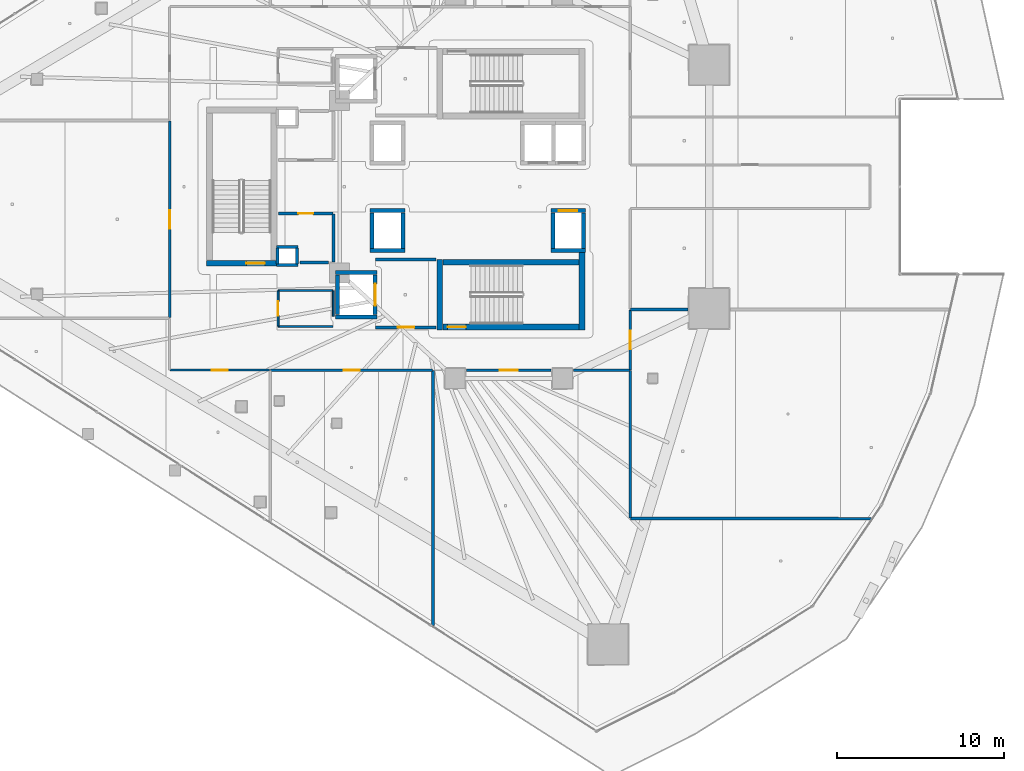
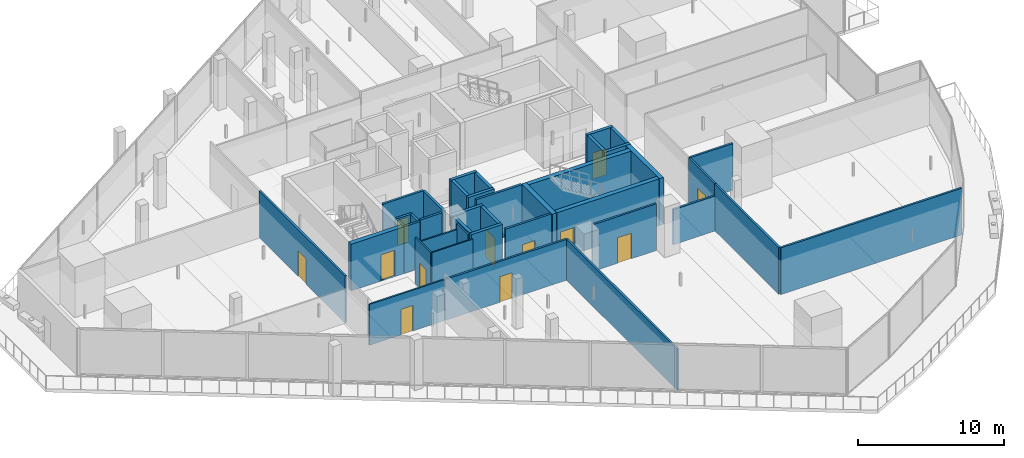
# One storey, part 29 of 45: 40 walls, 12 doors, 12 openings.
"""IFC4 building model written with IfcOpenShell, lengths in metres."""

from ifc_helpers import new_model, si_unit, direction, frame, frame_2d, origin, place, context, subcontext, project, spatial, rectangle, extrude, material, layer, layer_set, type_object, element, fill, save


model = new_model("IFC4")

# Units and contexts
model_context = context("Model", 3, precision=1e-05, world=origin(), true_north=direction((0.0, 1.0)))
body_context = subcontext(model_context, "Body", "Model", "MODEL_VIEW")
ifc_project = project(units=[si_unit("LENGTHUNIT", "METRE"), si_unit("AREAUNIT", "SQUARE_METRE"), si_unit("VOLUMEUNIT", "CUBIC_METRE"), si_unit("PLANEANGLEUNIT", "RADIAN"), si_unit("MASSUNIT", "GRAM", prefix="KILO")], contexts=[model_context])

# Site, building, storey
site_placement = place(None, origin())
site = spatial("IfcSite", under=ifc_project, at=site_placement, CompositionType="ELEMENT")
building_placement = place(site_placement, origin())
building = spatial("IfcBuilding", under=site, at=building_placement, Name="Qorvath Tower", CompositionType="ELEMENT")
storey_placement = place(building_placement, frame((0.0, 0.0, 66.0)))
storey = spatial("IfcBuildingStorey", under=building, at=storey_placement, Name="L14", CompositionType="ELEMENT", Elevation=66.0)

# Walls
ifc_material_1 = material(Name="Gypsum shaftliner on steel studs", Category="steel")
ifc_layer_1 = layer(ifc_material_1, 0.179931640625)
ifc_layer_set_1 = layer_set([ifc_layer_1], Name="FW-LOBBY")
wall_type_1 = type_object("IfcWallType", Name="FW-LOBBY", PredefinedType="PARTITIONING", material=ifc_layer_set_1)
for number, where, z_axis, x_axis, name in (
    (1, (-32.989990234375, -4.675048828125, 0.0), (0.0, 0.0, 1.0), (-1.0, 0.0, 0.0), "MEP Riser Shaft Enclosure Wall S-L14-S"),
    (2, (-34.260009765625, -3.594970703125, 0.0), (0.0, 0.0, 1.0), (1.0, 0.0, 0.0), "MEP Riser Shaft Enclosure Wall S-L14-N"),
):
    element("IfcWall", number, at=place(storey_placement, frame(where, z_axis=z_axis, x_axis=x_axis)), inside=storey, type_object=wall_type_1, Name=name, PredefinedType="PARTITIONING", context=body_context, shape_type="SweptSolid", body=[
        extrude(rectangle(XDim=1.27001953125, YDim=0.179931640625, at=frame_2d((0.635009765625, 0.0))), origin(), (0.0, 0.0, 1.0), 3.919921875),
    ])
for number, where, z_axis, x_axis, name in (
    (3, (-34.205078125, -4.610107421875, 0.0), (0.0, 0.0, 1.0), (0.0, 1.0, 0.0), "MEP Riser Shaft Enclosure Wall S-L14-W"),
    (4, (-33.044921875, -3.659912109375, 0.0), (0.0, 0.0, 1.0), (0.0, -1.0, 0.0), "MEP Riser Shaft Enclosure Wall S-L14-E"),
):
    element("IfcWall", number, at=place(storey_placement, frame(where, z_axis=z_axis, x_axis=x_axis)), inside=storey, type_object=wall_type_1, Name=name, PredefinedType="PARTITIONING", context=body_context, shape_type="SweptSolid", body=[
        extrude(rectangle(XDim=0.9501953125, YDim=0.179931640625, at=frame_2d((0.47509765625, 0.0))), origin(), (0.0, 0.0, 1.0), 3.919921875),
    ])

# Wall, opening, door
wall_1_placement = place(storey_placement, frame((-28.35498046875, -8.39990234375, 0.0), z_axis=(0.0, 0.0, 1.0), x_axis=(1.0, 0.0, 0.0)))
wall_1 = element("IfcWall", 5, at=wall_1_placement, inside=storey, type_object=wall_type_1, Name="Interior Partition IW-T1-L14-003", PredefinedType="PARTITIONING", context=body_context, shape_type="SweptSolid", body=[
    extrude(rectangle(XDim=3.6220703125, YDim=0.179931640625, at=frame_2d((1.81103515625, 0.0))), origin(), (0.0, 0.0, 1.0), 3.919921875),
])
opening_1_placement = place(wall_1_placement, frame((1.31103515625, 0.0, 0.0)))
opening_1 = element("IfcOpeningElement", 6, at=opening_1_placement, cuts=wall_1, Name="Opening D-T1-L14-18", PredefinedType="OPENING", context=body_context, shape_type="SweptSolid", body=[
    extrude(rectangle(XDim=1.0, YDim=2.14990234375, at=frame_2d((0.5, 1.074951171875))), frame((0.0, 0.10009765625, 0.0), z_axis=(0.0, -1.0, 0.0), x_axis=(1.0, 0.0, 0.0)), (0.0, 0.0, 1.0), 0.199951171875),
])
ifc_material_2 = material(Name="Painted galvanised hollow metal", Category="steel")
door_type_1 = type_object("IfcDoorType", Name="FD-60", OperationType="NOTDEFINED", PredefinedType="DOOR", material=ifc_material_2)
door_1_placement = place(opening_1_placement, origin())
door_1 = element("IfcDoor", 7, at=door_1_placement, inside=storey, type_object=door_type_1, Name="Lobby Fire Service Elevator South Door D-T1-L14-18", OperationType="SINGLE_SWING_LEFT", OverallHeight=2.14990234375, OverallWidth=1.0, PredefinedType="DOOR", context=body_context, shape_type="SweptSolid", body=[
    extrude(rectangle(XDim=1.0, YDim=2.14990234375, at=frame_2d((0.5, 1.074951171875))), frame((0.0, 0.02490234375, 0.0), z_axis=(0.0, -1.0, 0.0), x_axis=(1.0, 0.0, 0.0)), (0.0, 0.0, 1.0), 0.050048828125),
])
fill(opening_1, door_1)

# Walls
wall_2_placement = place(storey_placement, frame((-24.73291015625, -4.35009765625, 0.0), z_axis=(0.0, 0.0, 1.0), x_axis=(-1.0, 0.0, 0.0)))
element("IfcWall", 8, at=wall_2_placement, inside=storey, type_object=wall_type_1, Name="Interior Partition IW-T1-L14-004", PredefinedType="PARTITIONING", context=body_context, shape_type="SweptSolid", body=[
    extrude(rectangle(XDim=3.6220703125, YDim=0.179931640625, at=frame_2d((1.81103515625, 0.0))), origin(), (0.0, 0.0, 1.0), 3.919921875),
])
wall_3_placement = place(storey_placement, frame((-32.8798828125, -4.5380859375, 0.0), z_axis=(0.0, 0.0, 1.0), x_axis=(0.9999584918, 0.009111239105, 0.0)))
element("IfcWall", 9, at=wall_3_placement, inside=storey, type_object=wall_type_1, Name="Interior Partition IW-T1-L14-016", PredefinedType="PARTITIONING", context=body_context, shape_type="SweptSolid", body=[
    extrude(rectangle(XDim=1.71484375, YDim=0.179931640625, at=frame_2d((0.857421875, 0.0))), origin(), (0.0, 0.0, 1.0), 3.919921875),
])
wall_4_placement = place(storey_placement, frame((-30.8798828125, -4.485107421875, 0.0), z_axis=(0.0, 0.0, 1.0), x_axis=(0.0, 1.0, 0.0)))
element("IfcWall", 10, at=wall_4_placement, inside=storey, type_object=wall_type_1, Name="Interior Partition IW-T1-L14-017", PredefinedType="PARTITIONING", context=body_context, shape_type="SweptSolid", body=[
    extrude(rectangle(XDim=2.860107421875, YDim=0.179931640625, at=frame_2d((1.43017578125, 0.0))), origin(), (0.0, 0.0, 1.0), 3.919921875),
])

# Wall, opening, door
wall_5_placement = place(storey_placement, frame((-30.90478515625, -1.60009765625, 0.0), z_axis=(0.0, 0.0, 1.0), x_axis=(-1.0, 0.0, 0.0)))
wall_5 = element("IfcWall", 11, at=wall_5_placement, inside=storey, type_object=wall_type_1, Name="Interior Partition IW-T1-L14-018", PredefinedType="PARTITIONING", context=body_context, shape_type="SweptSolid", body=[
    extrude(rectangle(XDim=3.25, YDim=0.179931640625, at=frame_2d((1.625, 0.0))), origin(), (0.0, 0.0, 1.0), 3.919921875),
])
opening_2_placement = place(wall_5_placement, frame((1.18505859375, 0.0, 0.0)))
opening_2 = element("IfcOpeningElement", 12, at=opening_2_placement, cuts=wall_5, Name="Opening D-T1-L14-04", PredefinedType="OPENING", context=body_context, shape_type="SweptSolid", body=[
    extrude(rectangle(XDim=0.8798828125, YDim=2.10009765625, at=frame_2d((0.43994140625, 1.050048828125))), frame((0.0, 0.10009765625, 0.0), z_axis=(0.0, -1.0, 0.0), x_axis=(1.0, 0.0, 0.0)), (0.0, 0.0, 1.0), 0.199951171875),
])
ifc_material_3 = material(Name="Painted galvanised hollow metal", Category="steel")
door_type_2 = type_object("IfcDoorType", Name="FD-60N", OperationType="NOTDEFINED", PredefinedType="DOOR", material=ifc_material_3)
door_2_placement = place(opening_2_placement, origin())
door_2 = element("IfcDoor", 13, at=door_2_placement, inside=storey, type_object=door_type_2, Name="Core housekeeping store L14 Door D-T1-L14-04", OperationType="SINGLE_SWING_LEFT", OverallHeight=2.10009765625, OverallWidth=0.8798828125, PredefinedType="DOOR", context=body_context, shape_type="SweptSolid", body=[
    extrude(rectangle(XDim=0.8798828125, YDim=2.10009765625, at=frame_2d((0.43994140625, 1.050048828125))), frame((0.0, 0.02490234375, 0.0), z_axis=(0.0, -1.0, 0.0), x_axis=(1.0, 0.0, 0.0)), (0.0, 0.0, 1.0), 0.050048828125),
])
fill(opening_2, door_2)

ifc_material_4 = material(Name="Double acoustic gypsum board on steel studs", Category="steel")
ifc_layer_2 = layer(ifc_material_4, 0.159912109375)
ifc_layer_set_2 = layer_set([ifc_layer_2], Name="IW-ACOUSTIC-160")
wall_type_2 = type_object("IfcWallType", Name="IW-ACOUSTIC-160", PredefinedType="PARTITIONING", material=ifc_layer_set_2)
wall_6_placement = place(storey_placement, frame((-24.955810546875, -10.9580078125, 0.0), z_axis=(0.0, 0.0, 1.0), x_axis=(-1.0, 0.0, 0.0)))
wall_6 = element("IfcWall", 14, at=wall_6_placement, inside=storey, type_object=wall_type_2, Name="Interior Partition IW-T1-L14-029", PredefinedType="PARTITIONING", context=body_context, shape_type="SweptSolid", body=[
    extrude(rectangle(XDim=9.669189453125, YDim=0.159912109375, at=frame_2d((4.83447265625, 0.0))), origin(), (0.0, 0.0, 1.0), 3.432861328125),
])
opening_3_placement = place(wall_6_placement, frame((4.359619140625, 0.0, 0.0)))
opening_3 = element("IfcOpeningElement", 15, at=opening_3_placement, cuts=wall_6, Name="Opening D-T1-L14-09", PredefinedType="OPENING", context=body_context, shape_type="SweptSolid", body=[
    extrude(rectangle(XDim=0.949951171875, YDim=2.14990234375, at=frame_2d((0.47509765625, 1.074951171875))), frame((0.0, 0.08984375, 0.0), z_axis=(0.0, -1.0, 0.0), x_axis=(1.0, 0.0, 0.0)), (0.0, 0.0, 1.0), 0.179931640625),
])
ifc_material_5 = material(Name="Solid-core American white oak veneer", Category="wood")
door_type_3 = type_object("IfcDoorType", Name="D-01", OperationType="NOTDEFINED", PredefinedType="DOOR", material=ifc_material_5)
door_3_placement = place(opening_3_placement, origin())
door_3 = element("IfcDoor", 16, at=door_3_placement, inside=storey, type_object=door_type_3, Name="L14-05 Breakout Reading Alcove Door D-T1-L14-09", OperationType="SINGLE_SWING_RIGHT", OverallHeight=2.14990234375, OverallWidth=0.949951171875, PredefinedType="DOOR", context=body_context, shape_type="SweptSolid", body=[
    extrude(rectangle(XDim=0.949951171875, YDim=2.14990234375, at=frame_2d((0.47509765625, 1.074951171875))), frame((0.0, 0.02490234375, 0.0), z_axis=(0.0, -1.0, 0.0), x_axis=(1.0, 0.0, 0.0)), (0.0, 0.0, 1.0), 0.050048828125),
])
fill(opening_3, door_3)

# Walls
wall_7_placement = place(storey_placement, frame((-24.9306640625, -26.20703125, 0.0), z_axis=(0.0, 0.0, 1.0), x_axis=(0.0, 1.0, 0.0)))
element("IfcWall", 17, at=wall_7_placement, inside=storey, type_object=wall_type_2, Name="Interior Partition IW-T1-L14-031", PredefinedType="PARTITIONING", context=body_context, shape_type="SweptSolid", body=[
    extrude(rectangle(XDim=15.22412109375, YDim=0.159912109375, at=frame_2d((7.612060546875, 0.0))), origin(), (0.0, 0.0, 1.0), 3.432861328125),
])
wall_8_placement = place(storey_placement, frame((1.24609375, -19.82421875, 0.0), z_axis=(0.0, 0.0, 1.0), x_axis=(-0.999999852235, 0.000543625905, 0.0)))
element("IfcWall", 18, at=wall_8_placement, inside=storey, type_object=wall_type_2, Name="Interior Partition IW-T1-L14-032", PredefinedType="PARTITIONING", context=body_context, shape_type="SweptSolid", body=[
    extrude(rectangle(XDim=14.37109375, YDim=0.159912109375, at=frame_2d((7.185546875, 0.0))), origin(), (0.0, 0.0, 1.0), 3.919921875),
])
wall_9_placement = place(storey_placement, frame((-13.14990234375, -19.79150390625, 0.0), z_axis=(0.0, 0.0, 1.0), x_axis=(0.0, 1.0, 0.0)))
element("IfcWall", 19, at=wall_9_placement, inside=storey, type_object=wall_type_2, Name="Interior Partition IW-T1-L14-033", PredefinedType="PARTITIONING", context=body_context, shape_type="SweptSolid", body=[
    extrude(rectangle(XDim=8.80859375, YDim=0.159912109375, at=frame_2d((4.404296875, 0.0))), origin(), (0.0, 0.0, 1.0), 3.919921875),
])
wall_10_placement = place(storey_placement, frame((-13.1748046875, -10.9580078125, 0.0), z_axis=(0.0, 0.0, 1.0), x_axis=(-1.0, 0.0, 0.0)))
element("IfcWall", 20, at=wall_10_placement, inside=storey, type_object=wall_type_2, Name="Interior Partition IW-T1-L14-034", PredefinedType="PARTITIONING", context=body_context, shape_type="SweptSolid", body=[
    extrude(rectangle(XDim=3.360107421875, YDim=0.159912109375, at=frame_2d((1.68017578125, 0.0))), origin(), (0.0, 0.0, 1.0), 2.956787109375),
])

# Wall, opening, door
wall_11_placement = place(storey_placement, frame((-17.864990234375, -10.9580078125, 0.0), z_axis=(0.0, 0.0, 1.0), x_axis=(-1.0, 0.0, 0.0)))
wall_11 = element("IfcWall", 21, at=wall_11_placement, inside=storey, type_object=wall_type_2, Name="Interior Partition IW-T1-L14-035", PredefinedType="PARTITIONING", context=body_context, shape_type="SweptSolid", body=[
    extrude(rectangle(XDim=5.070068359375, YDim=0.159912109375, at=frame_2d((2.53515625, 0.0))), origin(), (0.0, 0.0, 1.0), 3.919921875),
])
opening_4_placement = place(wall_11_placement, frame((1.985107421875, 0.0, 0.0)))
opening_4 = element("IfcOpeningElement", 22, at=opening_4_placement, cuts=wall_11, Name="Opening D-T1-L14-10", PredefinedType="OPENING", context=body_context, shape_type="SweptSolid", body=[
    extrude(rectangle(XDim=1.10009765625, YDim=2.14990234375, at=frame_2d((0.550048828125, 1.074951171875))), frame((0.0, 0.08984375, 0.0), z_axis=(0.0, -1.0, 0.0), x_axis=(1.0, 0.0, 0.0)), (0.0, 0.0, 1.0), 0.179931640625),
])
ifc_material_6 = material(Name="Anodised aluminium acoustic framed glass", Category="aluminium")
door_type_4 = type_object("IfcDoorType", Name="D-03", OperationType="NOTDEFINED", PredefinedType="DOOR", material=ifc_material_6)
door_4_placement = place(opening_4_placement, origin())
door_4 = element("IfcDoor", 23, at=door_4_placement, inside=storey, type_object=door_type_4, Name="L14-06 Digital Visualization Suite Door D-T1-L14-10", OperationType="SINGLE_SWING_LEFT", OverallHeight=2.14990234375, OverallWidth=1.10009765625, PredefinedType="DOOR", context=body_context, shape_type="SweptSolid", body=[
    extrude(rectangle(XDim=1.10009765625, YDim=2.14990234375, at=frame_2d((0.550048828125, 1.074951171875))), frame((0.0, 0.02490234375, 0.0), z_axis=(0.0, -1.0, 0.0), x_axis=(1.0, 0.0, 0.0)), (0.0, 0.0, 1.0), 0.050048828125),
])
fill(opening_4, door_4)

# Wall
wall_12_placement = place(storey_placement, frame((-9.6953125, -7.3359375, 0.0), z_axis=(0.0, 0.0, 1.0), x_axis=(-1.0, 0.0, 0.0)))
element("IfcWall", 24, at=wall_12_placement, inside=storey, type_object=wall_type_2, Name="Interior Partition IW-T1-L14-037", PredefinedType="PARTITIONING", context=body_context, shape_type="SweptSolid", body=[
    extrude(rectangle(XDim=3.421875, YDim=0.159912109375, at=frame_2d((1.7109375, 0.0))), origin(), (0.0, 0.0, 1.0), 3.919921875),
])

# Wall, opening, door
wall_13_placement = place(storey_placement, frame((-13.14208984375, -7.36083984375, 0.0), z_axis=(0.0, 0.0, 1.0), x_axis=(0.0, -1.0, 0.0)))
wall_13 = element("IfcWall", 25, at=wall_13_placement, inside=storey, type_object=wall_type_2, Name="Interior Partition IW-T1-L14-038", PredefinedType="PARTITIONING", context=body_context, shape_type="SweptSolid", body=[
    extrude(rectangle(XDim=3.59716796875, YDim=0.159912109375, at=frame_2d((1.798583984375, 0.0))), origin(), (0.0, 0.0, 1.0), 3.919921875),
])
opening_5_placement = place(wall_13_placement, frame((1.24853515625, 0.0, 0.0)))
opening_5 = element("IfcOpeningElement", 26, at=opening_5_placement, cuts=wall_13, Name="Opening D-T1-L14-11", PredefinedType="OPENING", context=body_context, shape_type="SweptSolid", body=[
    extrude(rectangle(XDim=1.10009765625, YDim=2.14990234375, at=frame_2d((0.550048828125, 1.074951171875))), frame((0.0, 0.08984375, 0.0), z_axis=(0.0, -1.0, 0.0), x_axis=(1.0, 0.0, 0.0)), (0.0, 0.0, 1.0), 0.179931640625),
])
door_5_placement = place(opening_5_placement, origin())
door_5 = element("IfcDoor", 27, at=door_5_placement, inside=storey, type_object=door_type_4, Name="L14-07 Team Project Office Door D-T1-L14-11", OperationType="SINGLE_SWING_RIGHT", OverallHeight=2.14990234375, OverallWidth=1.10009765625, PredefinedType="DOOR", context=body_context, shape_type="SweptSolid", body=[
    extrude(rectangle(XDim=1.10009765625, YDim=2.14990234375, at=frame_2d((0.550048828125, 1.074951171875))), frame((0.0, 0.02490234375, 0.0), z_axis=(0.0, -1.0, 0.0), x_axis=(1.0, 0.0, 0.0)), (0.0, 0.0, 1.0), 0.050048828125),
])
fill(opening_5, door_5)

wall_14_placement = place(storey_placement, frame((-40.657958984375, -7.82421875, 0.0), z_axis=(0.0, 0.0, 1.0), x_axis=(0.0, 1.0, 0.0)))
wall_14 = element("IfcWall", 28, at=wall_14_placement, inside=storey, type_object=wall_type_2, Name="Interior Partition IW-T1-L14-049", PredefinedType="PARTITIONING", context=body_context, shape_type="SweptSolid", body=[
    extrude(rectangle(XDim=11.755615234375, YDim=0.159912109375, at=frame_2d((5.8779296875, 0.0))), origin(), (0.0, 0.0, 1.0), 3.919921875),
])
opening_6_placement = place(wall_14_placement, frame((5.327880859375, 0.0, 0.0)))
opening_6 = element("IfcOpeningElement", 29, at=opening_6_placement, cuts=wall_14, Name="Opening D-T1-L14-15", PredefinedType="OPENING", context=body_context, shape_type="SweptSolid", body=[
    extrude(rectangle(XDim=1.10009765625, YDim=2.14990234375, at=frame_2d((0.550048828125, 1.074951171875))), frame((0.0, 0.08984375, 0.0), z_axis=(0.0, -1.0, 0.0), x_axis=(1.0, 0.0, 0.0)), (0.0, 0.0, 1.0), 0.179931640625),
])
door_6_placement = place(opening_6_placement, origin())
door_6 = element("IfcDoor", 30, at=door_6_placement, inside=storey, type_object=door_type_4, Name="L14-11 Client Services Office Door D-T1-L14-15", OperationType="SINGLE_SWING_RIGHT", OverallHeight=2.14990234375, OverallWidth=1.10009765625, PredefinedType="DOOR", context=body_context, shape_type="SweptSolid", body=[
    extrude(rectangle(XDim=1.10009765625, YDim=2.14990234375, at=frame_2d((0.550048828125, 1.074951171875))), frame((0.0, 0.02490234375, 0.0), z_axis=(0.0, -1.0, 0.0), x_axis=(1.0, 0.0, 0.0)), (0.0, 0.0, 1.0), 0.050048828125),
])
fill(opening_6, door_6)

ifc_material_7 = material(Name="Gypsum board on metal studs with mineral wool", Category="gypsum")
ifc_layer_3 = layer(ifc_material_7, 0.125)
ifc_layer_set_3 = layer_set([ifc_layer_3], Name="IW-PART-125")
wall_type_3 = type_object("IfcWallType", Name="IW-PART-125", PredefinedType="PARTITIONING", material=ifc_layer_set_3)
wall_15_placement = place(storey_placement, frame((-34.68310546875, -10.9580078125, 0.0), z_axis=(0.0, 0.0, 1.0), x_axis=(-1.0, 0.0, 0.0)))
wall_15 = element("IfcWall", 31, at=wall_15_placement, inside=storey, type_object=wall_type_3, Name="Interior Partition IW-T1-L14-046", PredefinedType="PARTITIONING", context=body_context, shape_type="SweptSolid", body=[
    extrude(rectangle(XDim=5.949951171875, YDim=0.125, at=frame_2d((2.97509765625, 0.0))), origin(), (0.0, 0.0, 1.0), 3.432861328125),
])
opening_7_placement = place(wall_15_placement, frame((2.5, 0.0, 0.0)))
opening_7 = element("IfcOpeningElement", 32, at=opening_7_placement, cuts=wall_15, Name="Opening D-T1-L14-14", PredefinedType="OPENING", context=body_context, shape_type="SweptSolid", body=[
    extrude(rectangle(XDim=0.949951171875, YDim=2.14990234375, at=frame_2d((0.47509765625, 1.074951171875))), frame((0.0, 0.072509765625, 0.0), z_axis=(0.0, -1.0, 0.0), x_axis=(1.0, 0.0, 0.0)), (0.0, 0.0, 1.0), 0.14501953125),
])
door_7_placement = place(opening_7_placement, origin())
door_7 = element("IfcDoor", 33, at=door_7_placement, inside=storey, type_object=door_type_3, Name="L14-10 Staff Refreshment Pantry and Coffee Bar Door D-T1-L14-14", OperationType="SINGLE_SWING_LEFT", OverallHeight=2.14990234375, OverallWidth=0.949951171875, PredefinedType="DOOR", context=body_context, shape_type="SweptSolid", body=[
    extrude(rectangle(XDim=0.949951171875, YDim=2.14990234375, at=frame_2d((0.47509765625, 1.074951171875))), frame((0.0, 0.02490234375, 0.0), z_axis=(0.0, -1.0, 0.0), x_axis=(1.0, 0.0, 0.0)), (0.0, 0.0, 1.0), 0.050048828125),
])
fill(opening_7, door_7)

ifc_material_8 = material(Name="Moisture-resistant cement board on metal studs", Category="gypsum")
ifc_layer_4 = layer(ifc_material_8, 0.110107421875)
ifc_layer_set_4 = layer_set([ifc_layer_4], Name="IW-WC-110")
wall_type_4 = type_object("IfcWallType", Name="IW-WC-110", PredefinedType="PARTITIONING", material=ifc_layer_set_4)
wall_16_placement = place(storey_placement, frame((-34.179931640625, -6.22509765625, 0.0), z_axis=(0.0, 0.0, 1.0), x_axis=(0.0, -1.0, 0.0)))
wall_16 = element("IfcWall", 34, at=wall_16_placement, inside=storey, type_object=wall_type_4, Name="Interior Partition IW-T1-L14-009", PredefinedType="PARTITIONING", context=body_context, shape_type="SweptSolid", body=[
    extrude(rectangle(XDim=2.10009765625, YDim=0.110107421875, at=frame_2d((1.050048828125, 0.0))), origin(), (0.0, 0.0, 1.0), 3.919921875),
])
opening_8_placement = place(wall_16_placement, frame((0.610107421875, 0.0, 0.0)))
opening_8 = element("IfcOpeningElement", 35, at=opening_8_placement, cuts=wall_16, Name="Opening D-T1-L14-02", PredefinedType="OPENING", context=body_context, shape_type="SweptSolid", body=[
    extrude(rectangle(XDim=0.8798828125, YDim=2.10009765625, at=frame_2d((0.43994140625, 1.050048828125))), frame((0.0, 0.06494140625, 0.0), z_axis=(0.0, -1.0, 0.0), x_axis=(1.0, 0.0, 0.0)), (0.0, 0.0, 1.0), 0.130126953125),
])
ifc_material_9 = material(Name="Solid-core oak with acoustic drop seal", Category="wood")
door_type_5 = type_object("IfcDoorType", Name="D-02", OperationType="NOTDEFINED", PredefinedType="DOOR", material=ifc_material_9)
door_8_placement = place(opening_8_placement, origin())
door_8 = element("IfcDoor", 36, at=door_8_placement, inside=storey, type_object=door_type_5, Name="Accessible WC South L14 Door D-T1-L14-02", OperationType="SINGLE_SWING_LEFT", OverallHeight=2.10009765625, OverallWidth=0.8798828125, PredefinedType="DOOR", context=body_context, shape_type="SweptSolid", body=[
    extrude(rectangle(XDim=0.8798828125, YDim=2.10009765625, at=frame_2d((0.43994140625, 1.050048828125))), frame((0.0, 0.02490234375, 0.0), z_axis=(0.0, -1.0, 0.0), x_axis=(1.0, 0.0, 0.0)), (0.0, 0.0, 1.0), 0.050048828125),
])
fill(opening_8, door_8)

# Walls
wall_17_placement = place(storey_placement, frame((-34.15478515625, -8.35009765625, 0.0), z_axis=(0.0, 0.0, 1.0), x_axis=(1.0, 0.0, 0.0)))
element("IfcWall", 37, at=wall_17_placement, inside=storey, type_object=wall_type_4, Name="Interior Partition IW-T1-L14-010", PredefinedType="PARTITIONING", context=body_context, shape_type="SweptSolid", body=[
    extrude(rectangle(XDim=3.25, YDim=0.110107421875, at=frame_2d((1.625, 0.0))), origin(), (0.0, 0.0, 1.0), 3.919921875),
])
wall_18_placement = place(storey_placement, frame((-30.8798828125, -7.742919921875, 0.0), z_axis=(0.0, 0.0, 1.0), x_axis=(0.0, 1.0, 0.0)))
element("IfcWall", 38, at=wall_18_placement, inside=storey, type_object=wall_type_4, Name="Interior Partition IW-T1-L14-011", PredefinedType="PARTITIONING", context=body_context, shape_type="SweptSolid", body=[
    extrude(rectangle(XDim=1.517822265625, YDim=0.110107421875, at=frame_2d((0.7587890625, 0.0))), origin(), (0.0, 0.0, 1.0), 3.919921875),
])
wall_19_placement = place(storey_placement, frame((-30.90478515625, -6.199951171875, 0.0), z_axis=(0.0, 0.0, 1.0), x_axis=(-1.0, 0.0, 0.0)))
element("IfcWall", 39, at=wall_19_placement, inside=storey, type_object=wall_type_4, Name="Interior Partition IW-T1-L14-012", PredefinedType="PARTITIONING", context=body_context, shape_type="SweptSolid", body=[
    extrude(rectangle(XDim=3.25, YDim=0.110107421875, at=frame_2d((1.625, 0.0))), origin(), (0.0, 0.0, 1.0), 3.432861328125),
])
ifc_material_10 = material(Name="Concrete C60/75", Category="concrete")
ifc_layer_5 = layer(ifc_material_10, 0.260009765625)
ifc_layer_set_5 = layer_set([ifc_layer_5], Name="SW-SHAFT")
wall_type_5 = type_object("IfcWallType", Name="SW-SHAFT", PredefinedType="SHEAR", material=ifc_layer_set_5)
for number, where, z_axis, x_axis, name in (
    (40, (-28.260009765625, -7.77001953125, 0.0), (0.0, 0.0, 1.0), (-1.0, 0.0, 0.0), "Hoistway Wall FSAE-2 L14 S"),
    (41, (-30.739990234375, -5.1298828125, 0.0), (0.0, 0.0, 1.0), (1.0, 0.0, 0.0), "Hoistway Wall FSAE-2 L14 N"),
):
    element("IfcWall", number, at=place(storey_placement, frame(where, z_axis=z_axis, x_axis=x_axis)), inside=storey, type_object=wall_type_5, Name=name, PredefinedType="SHEAR", context=body_context, shape_type="SweptSolid", body=[
        extrude(rectangle(XDim=2.47998046875, YDim=0.239990234375, at=frame_2d((1.239990234375, 0.0))), origin(), (0.0, 0.0, 1.0), 3.919921875),
    ])
wall_20_placement = place(storey_placement, frame((-30.6201171875, -7.637939453125, 0.0), z_axis=(0.0, 0.0, 1.0), x_axis=(0.0, 1.0, 0.0)))
element("IfcWall", 42, at=wall_20_placement, inside=storey, type_object=wall_type_5, Name="Hoistway Wall FSAE-2 L14 W", PredefinedType="SHEAR", context=body_context, shape_type="SweptSolid", body=[
    extrude(rectangle(XDim=2.3759765625, YDim=0.239990234375, at=frame_2d((1.18798828125, 0.0))), origin(), (0.0, 0.0, 1.0), 3.919921875),
])

# Wall, opening, door
wall_21_placement = place(storey_placement, frame((-28.3798828125, -5.261962890625, 0.0), z_axis=(0.0, 0.0, 1.0), x_axis=(0.0, -1.0, 0.0)))
wall_21 = element("IfcWall", 43, at=wall_21_placement, inside=storey, type_object=wall_type_5, Name="Hoistway Wall FSAE-2 L14 E", PredefinedType="SHEAR", context=body_context, shape_type="SweptSolid", body=[
    extrude(rectangle(XDim=2.3759765625, YDim=0.239990234375, at=frame_2d((1.18798828125, 0.0))), origin(), (0.0, 0.0, 1.0), 3.919921875),
])
opening_9_placement = place(wall_21_placement, frame((0.5380859375, 0.0, 0.0)))
opening_9 = element("IfcOpeningElement", 44, at=opening_9_placement, cuts=wall_21, Name="Opening LD-FSAE-2-L14", PredefinedType="OPENING", context=body_context, shape_type="SweptSolid", body=[
    extrude(rectangle(XDim=1.300048828125, YDim=2.300048828125, at=frame_2d((0.64990234375, 1.14990234375))), frame((0.0, 0.1298828125, 0.0), z_axis=(0.0, -1.0, 0.0), x_axis=(1.0, 0.0, 0.0)), (0.0, 0.0, 1.0), 0.260009765625),
])
ifc_material_11 = material(Name="Brushed stainless steel AISI 316", Category="steel")
door_type_6 = type_object("IfcDoorType", Name="LD-02", OperationType="NOTDEFINED", PredefinedType="DOOR", material=ifc_material_11)
door_9_placement = place(opening_9_placement, origin())
door_9 = element("IfcDoor", 45, at=door_9_placement, inside=storey, type_object=door_type_6, Name="Elevator Landing Sliding Door LD-FSAE-2-L14", OperationType="DOUBLE_DOOR_SLIDING", OverallHeight=2.300048828125, OverallWidth=1.300048828125, PredefinedType="DOOR", context=body_context, shape_type="SweptSolid", body=[
    extrude(rectangle(XDim=1.300048828125, YDim=2.300048828125, at=frame_2d((0.64990234375, 1.14990234375))), frame((0.0, 0.02490234375, 0.0), z_axis=(0.0, -1.0, 0.0), x_axis=(1.0, 0.0, 0.0)), (0.0, 0.0, 1.0), 0.050048828125),
])
fill(opening_9, door_9)

# Walls
for number, where, z_axis, x_axis, name in (
    (46, (-26.610107421875, -3.820068359375, 0.0), (0.0, 0.0, 1.0), (-1.0, 0.0, 0.0), "Hoistway Wall PS-2 L14 S"),
    (47, (-28.68994140625, -1.429931640625, 0.0), (0.0, 0.0, 1.0), (1.0, 0.0, 0.0), "Hoistway Wall PS-2 L14 N"),
):
    element("IfcWall", number, at=place(storey_placement, frame(where, z_axis=z_axis, x_axis=x_axis)), inside=storey, type_object=wall_type_5, Name=name, PredefinedType="SHEAR", context=body_context, shape_type="SweptSolid", body=[
        extrude(rectangle(XDim=2.079833984375, YDim=0.239990234375, at=frame_2d((1.0400390625, 0.0))), origin(), (0.0, 0.0, 1.0), 3.919921875),
    ])
for number, where, z_axis, x_axis, name in (
    (48, (-28.570068359375, -3.68798828125, 0.0), (0.0, 0.0, 1.0), (0.0, 1.0, 0.0), "Hoistway Wall PS-2 L14 W"),
    (49, (-26.72998046875, -1.56201171875, 0.0), (0.0, 0.0, 1.0), (0.0, -1.0, 0.0), "Hoistway Wall PS-2 L14 E"),
):
    element("IfcWall", number, at=place(storey_placement, frame(where, z_axis=z_axis, x_axis=x_axis)), inside=storey, type_object=wall_type_5, Name=name, PredefinedType="SHEAR", context=body_context, shape_type="SweptSolid", body=[
        extrude(rectangle(XDim=2.1259765625, YDim=0.239990234375, at=frame_2d((1.06298828125, 0.0))), origin(), (0.0, 0.0, 1.0), 3.919921875),
    ])
wall_22_placement = place(storey_placement, frame((-15.81005859375, -3.820068359375, 0.0), z_axis=(0.0, 0.0, 1.0), x_axis=(-1.0, 0.0, 0.0)))
element("IfcWall", 50, at=wall_22_placement, inside=storey, type_object=wall_type_5, Name="Hoistway Wall PL-2 L14 S", PredefinedType="SHEAR", context=body_context, shape_type="SweptSolid", body=[
    extrude(rectangle(XDim=2.079833984375, YDim=0.239990234375, at=frame_2d((1.0400390625, 0.0))), origin(), (0.0, 0.0, 1.0), 3.919921875),
])

# Wall, opening, door
wall_23_placement = place(storey_placement, frame((-17.889892578125, -1.429931640625, 0.0), z_axis=(0.0, 0.0, 1.0), x_axis=(1.0, 0.0, 0.0)))
wall_23 = element("IfcWall", 51, at=wall_23_placement, inside=storey, type_object=wall_type_5, Name="Hoistway Wall PL-2 L14 N", PredefinedType="SHEAR", context=body_context, shape_type="SweptSolid", body=[
    extrude(rectangle(XDim=2.079833984375, YDim=0.239990234375, at=frame_2d((1.0400390625, 0.0))), origin(), (0.0, 0.0, 1.0), 3.919921875),
])
opening_10_placement = place(wall_23_placement, frame((0.48974609375, 0.0, 0.0)))
opening_10 = element("IfcOpeningElement", 52, at=opening_10_placement, cuts=wall_23, Name="Opening LD-PL-2-L14", PredefinedType="OPENING", context=body_context, shape_type="SweptSolid", body=[
    extrude(rectangle(XDim=1.10009765625, YDim=2.199951171875, at=frame_2d((0.550048828125, 1.10009765625))), frame((0.0, 0.1298828125, 0.0), z_axis=(0.0, -1.0, 0.0), x_axis=(1.0, 0.0, 0.0)), (0.0, 0.0, 1.0), 0.260009765625),
])
ifc_material_12 = material(Name="Brushed stainless steel AISI 316", Category="steel")
door_type_7 = type_object("IfcDoorType", Name="LD-01", OperationType="NOTDEFINED", PredefinedType="DOOR", material=ifc_material_12)
door_10_placement = place(opening_10_placement, origin())
door_10 = element("IfcDoor", 53, at=door_10_placement, inside=storey, type_object=door_type_7, Name="Elevator Landing Sliding Door LD-PL-2-L14", OperationType="DOUBLE_DOOR_SLIDING", OverallHeight=2.199951171875, OverallWidth=1.10009765625, PredefinedType="DOOR", context=body_context, shape_type="SweptSolid", body=[
    extrude(rectangle(XDim=1.10009765625, YDim=2.199951171875, at=frame_2d((0.550048828125, 1.10009765625))), frame((0.0, 0.02490234375, 0.0), z_axis=(0.0, -1.0, 0.0), x_axis=(1.0, 0.0, 0.0)), (0.0, 0.0, 1.0), 0.050048828125),
])
fill(opening_10, door_10)

# Walls
for number, where, z_axis, x_axis, name in (
    (54, (-17.77001953125, -3.68798828125, 0.0), (0.0, 0.0, 1.0), (0.0, 1.0, 0.0), "Hoistway Wall PL-2 L14 W"),
    (55, (-15.929931640625, -1.56201171875, 0.0), (0.0, 0.0, 1.0), (0.0, -1.0, 0.0), "Hoistway Wall PL-2 L14 E"),
):
    element("IfcWall", number, at=place(storey_placement, frame(where, z_axis=z_axis, x_axis=x_axis)), inside=storey, type_object=wall_type_5, Name=name, PredefinedType="SHEAR", context=body_context, shape_type="SweptSolid", body=[
        extrude(rectangle(XDim=2.1259765625, YDim=0.239990234375, at=frame_2d((1.06298828125, 0.0))), origin(), (0.0, 0.0, 1.0), 3.919921875),
    ])
ifc_material_13 = material(Name="Concrete C60/75", Category="concrete")
ifc_layer_6 = layer(ifc_material_13, 0.35009765625)
ifc_layer_set_6 = layer_set([ifc_layer_6], Name="SW-STAIR")
wall_type_6 = type_object("IfcWallType", Name="SW-STAIR", PredefinedType="SHEAR", material=ifc_layer_set_6)
wall_24_placement = place(storey_placement, frame((-24.52490234375, -4.340087890625, 0.0), z_axis=(0.0, 0.0, 1.0), x_axis=(0.0, -1.0, 0.0)))
element("IfcWall", 56, at=wall_24_placement, inside=storey, type_object=wall_type_6, Name="Stair TS2 Shear Wall L14 NEAR", PredefinedType="SHEAR", context=body_context, shape_type="SweptSolid", body=[
    extrude(rectangle(XDim=4.2099609375, YDim=0.35009765625, at=frame_2d((2.10498046875, 0.0))), origin(), (0.0, 0.0, 1.0), 3.919921875),
])
wall_25_placement = place(storey_placement, frame((-16.02490234375, -8.550048828125, 0.0), z_axis=(0.0, 0.0, 1.0), x_axis=(0.0, 1.0, 0.0)))
element("IfcWall", 57, at=wall_25_placement, inside=storey, type_object=wall_type_6, Name="Stair TS2 Shear Wall L14 FAR", PredefinedType="SHEAR", context=body_context, shape_type="SweptSolid", body=[
    extrude(rectangle(XDim=4.610107421875, YDim=0.35009765625, at=frame_2d((2.30517578125, 0.0))), origin(), (0.0, 0.0, 1.0), 3.919921875),
])

# Wall, opening, door
wall_26_placement = place(storey_placement, frame((-24.3349609375, -8.375, 0.0), z_axis=(0.0, 0.0, 1.0), x_axis=(1.0, 0.0, 0.0)))
wall_26 = element("IfcWall", 58, at=wall_26_placement, inside=storey, type_object=wall_type_6, Name="Stair TS2 Shear Wall L14 LEFT", PredefinedType="SHEAR", context=body_context, shape_type="SweptSolid", body=[
    extrude(rectangle(XDim=8.119873046875, YDim=0.35009765625, at=frame_2d((4.06005859375, 0.0))), origin(), (0.0, 0.0, 1.0), 3.919921875),
])
opening_11_placement = place(wall_26_placement, frame((0.280029296875, 0.0, 0.0)))
opening_11 = element("IfcOpeningElement", 59, at=opening_11_placement, cuts=wall_26, Name="Opening D-TS2-L14", PredefinedType="OPENING", context=body_context, shape_type="SweptSolid", body=[
    extrude(rectangle(XDim=1.10009765625, YDim=2.199951171875, at=frame_2d((0.550048828125, 1.10009765625))), frame((0.0, 0.18505859375, 0.0), z_axis=(0.0, -1.0, 0.0), x_axis=(1.0, 0.0, 0.0)), (0.0, 0.0, 1.0), 0.3701171875),
])
ifc_material_14 = material(Name="Painted galvanised hollow metal", Category="steel")
door_type_8 = type_object("IfcDoorType", Name="FD-90", OperationType="NOTDEFINED", PredefinedType="DOOR", material=ifc_material_14)
door_11_placement = place(opening_11_placement, origin())
door_11 = element("IfcDoor", 60, at=door_11_placement, inside=storey, type_object=door_type_8, Name="Stair TS2 Fire Door L14", OperationType="SINGLE_SWING_LEFT", OverallHeight=2.199951171875, OverallWidth=1.10009765625, PredefinedType="DOOR", context=body_context, shape_type="SweptSolid", body=[
    extrude(rectangle(XDim=1.10009765625, YDim=2.199951171875, at=frame_2d((0.550048828125, 1.10009765625))), frame((0.0, 0.02490234375, 0.0), z_axis=(0.0, -1.0, 0.0), x_axis=(1.0, 0.0, 0.0)), (0.0, 0.0, 1.0), 0.050048828125),
])
fill(opening_11, door_11)

# Wall
wall_27_placement = place(storey_placement, frame((-16.215087890625, -4.514892578125, 0.0), z_axis=(0.0, 0.0, 1.0), x_axis=(-1.0, 0.0, 0.0)))
element("IfcWall", 61, at=wall_27_placement, inside=storey, type_object=wall_type_6, Name="Stair TS2 Shear Wall L14 RIGHT", PredefinedType="SHEAR", context=body_context, shape_type="SweptSolid", body=[
    extrude(rectangle(XDim=8.119873046875, YDim=0.35009765625, at=frame_2d((4.06005859375, 0.0))), origin(), (0.0, 0.0, 1.0), 3.919921875),
])

# Wall, opening, door
wall_28_placement = place(storey_placement, frame((-38.4599609375, -4.574951171875, 0.0), z_axis=(0.0, 0.0, 1.0), x_axis=(1.0, 0.0, 0.0)))
wall_28 = element("IfcWall", 62, at=wall_28_placement, inside=storey, type_object=wall_type_6, Name="Stair TS3 Shear Wall L14 NEAR", PredefinedType="SHEAR", context=body_context, shape_type="SweptSolid", body=[
    extrude(rectangle(XDim=4.2099609375, YDim=0.35009765625, at=frame_2d((2.10498046875, 0.0))), origin(), (0.0, 0.0, 1.0), 3.919921875),
])
opening_12_placement = place(wall_28_placement, frame((2.389892578125, 0.0, 0.0)))
opening_12 = element("IfcOpeningElement", 63, at=opening_12_placement, cuts=wall_28, Name="Opening D-TS3-L14", PredefinedType="OPENING", context=body_context, shape_type="SweptSolid", body=[
    extrude(rectangle(XDim=1.10009765625, YDim=2.199951171875, at=frame_2d((0.550048828125, 1.10009765625))), frame((0.0, 0.18505859375, 0.0), z_axis=(0.0, -1.0, 0.0), x_axis=(1.0, 0.0, 0.0)), (0.0, 0.0, 1.0), 0.3701171875),
])
door_12_placement = place(opening_12_placement, origin())
door_12 = element("IfcDoor", 64, at=door_12_placement, inside=storey, type_object=door_type_8, Name="Stair TS3 Fire Door L14", OperationType="SINGLE_SWING_LEFT", OverallHeight=2.199951171875, OverallWidth=1.10009765625, PredefinedType="DOOR", context=body_context, shape_type="SweptSolid", body=[
    extrude(rectangle(XDim=1.10009765625, YDim=2.199951171875, at=frame_2d((0.550048828125, 1.10009765625))), frame((0.0, 0.02490234375, 0.0), z_axis=(0.0, -1.0, 0.0), x_axis=(1.0, 0.0, 0.0)), (0.0, 0.0, 1.0), 0.050048828125),
])
fill(opening_12, door_12)

save(model, "model.ifc")
